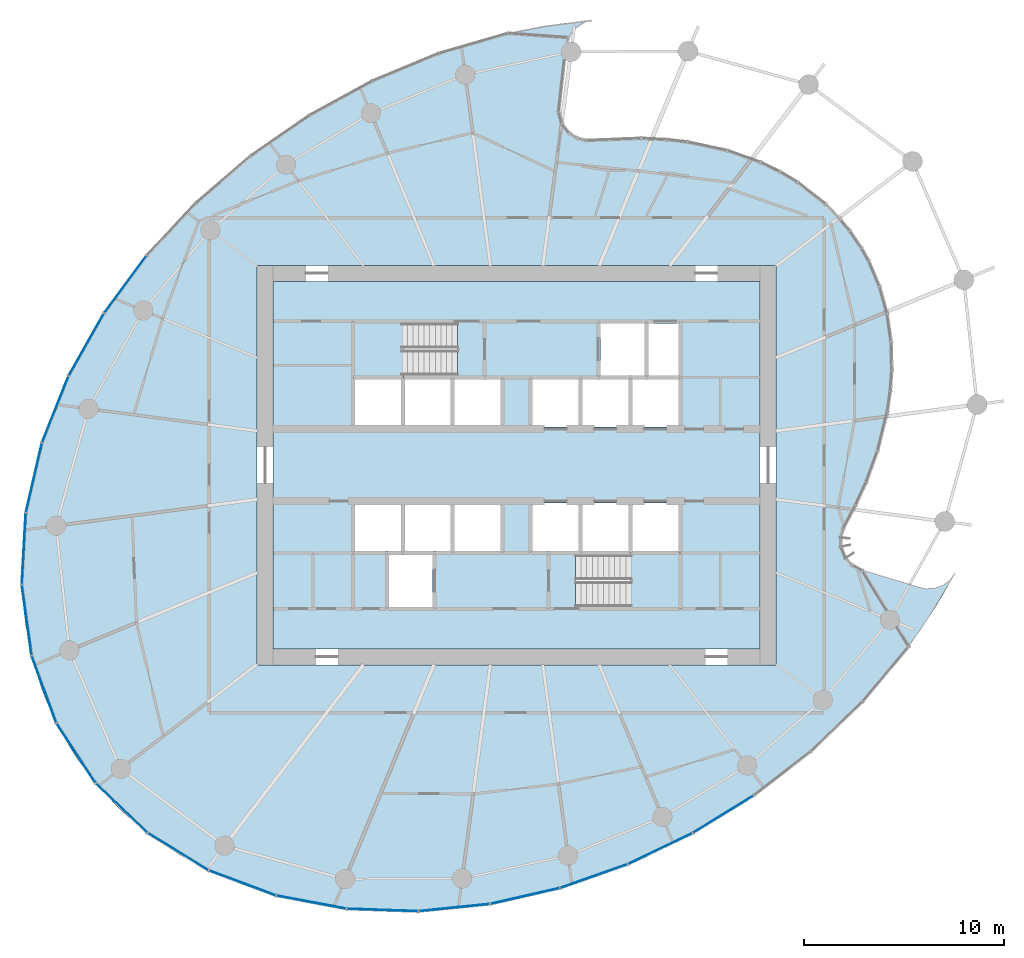
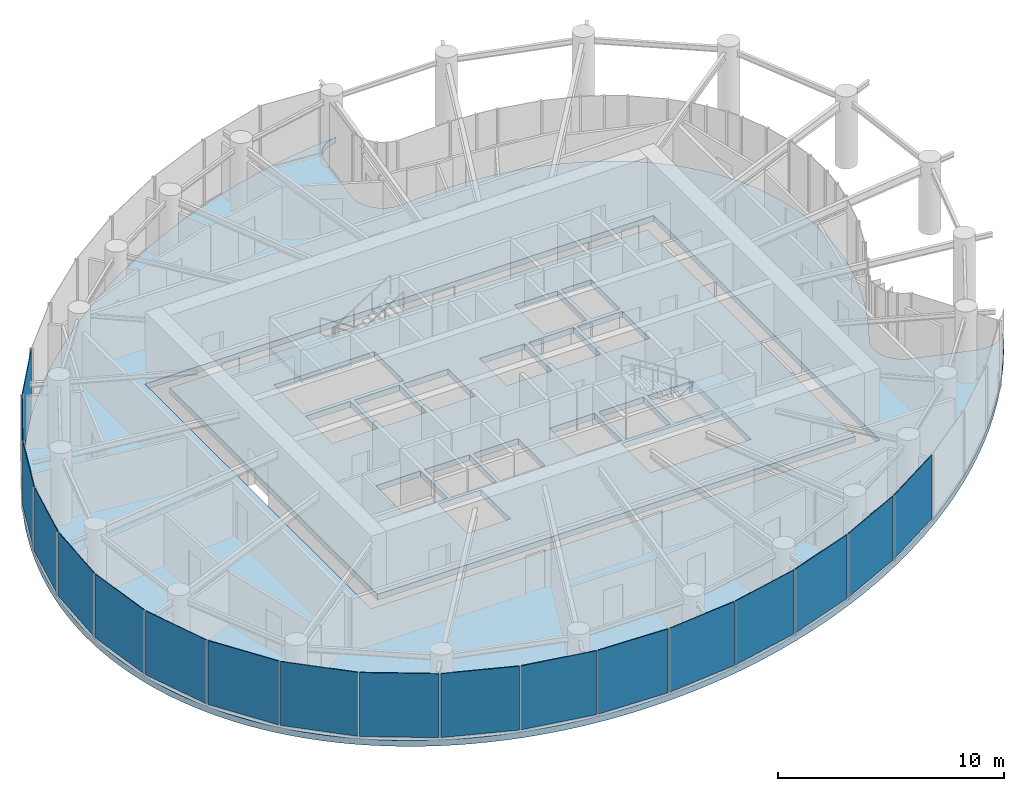
# One storey, part 9 of 19: 18 plates, 4 slabs, 5 elements without a shape of their own.
"""IFC4 building model written with IfcOpenShell, lengths in metres."""

from ifc_helpers import new_model, si_unit, direction, frame, origin, origin_2d, place, context, subcontext, project, spatial, line, indexed_curve, rectangle, outline, extrude, source, transform, mapped, material, layer, layer_set, type_object, element, aggregate, save


model = new_model("IFC4")

# Units and contexts
model_context = context("Model", 3, precision=1e-05, world=origin(), true_north=direction((0.0, 1.0)))
body_context = subcontext(model_context, "Body", "Model", "MODEL_VIEW")
ifc_project = project(units=[si_unit("LENGTHUNIT", "METRE"), si_unit("AREAUNIT", "SQUARE_METRE"), si_unit("VOLUMEUNIT", "CUBIC_METRE"), si_unit("PLANEANGLEUNIT", "RADIAN"), si_unit("MASSUNIT", "GRAM", prefix="KILO")], contexts=[model_context])

# Site, building, storey
site_placement = place(None, origin())
site = spatial("IfcSite", under=ifc_project, at=site_placement, CompositionType="ELEMENT")
building_placement = place(site_placement, origin())
building = spatial("IfcBuilding", under=site, at=building_placement, Name="Spindrift Exchange Tower", CompositionType="ELEMENT")
storey_placement = place(building_placement, frame((0.0, 0.0, 137.0)))
storey = spatial("IfcBuildingStorey", under=building, at=storey_placement, Name="L32", CompositionType="ELEMENT", Elevation=137.0)

# Slabs
ifc_material_1 = material(Name="Concrete 40 MPa", Category="concrete")
ifc_layer_1 = layer(ifc_material_1, 0.320068359375)
ifc_layer_set_1 = layer_set([ifc_layer_1], Name="RC Floor Slab 320 Concrete 40 MPa")
slab_type_1 = type_object("IfcSlabType", Name="RC Floor Slab 320 Concrete 40 MPa", PredefinedType="FLOOR", material=ifc_layer_set_1)
slab_1_placement = place(storey_placement, frame((0.0, 0.0, -0.320068359375)))
element("IfcSlab", 1, at=slab_1_placement, inside=storey, type_object=slab_type_1, Name="Floor slab L32", PredefinedType="FLOOR", context=body_context, shape_type="SweptSolid", body=[
    extrude(outline(indexed_curve([(73.957275390625, 42.589599609375), (73.53759765625, 41.8271484375), (73.331298828125, 41.472412109375), (72.90380859375, 40.77197265625), (72.682861328125, 40.426513671875), (72.226318359375, 39.74462890625), (71.7509765625, 39.07568359375), (71.506591796875, 38.74609375), (71.0048828125, 38.0966796875), (70.486083984375, 37.4609375), (69.951171875, 36.8388671875), (69.677490234375, 36.532958984375), (69.119140625, 35.931884765625), (68.834228515625, 35.63671875), (68.253662109375, 35.056884765625), (67.65869140625, 34.49169921875), (67.356201171875, 34.214599609375), (66.74072265625, 33.671630859375), (65.793701171875, 32.885498046875), (65.146728515625, 32.380859375), (64.154296875, 31.653076171875), (63.135986328125, 30.96142578125), (62.093994140625, 30.306640625), (61.029052734375, 29.689453125), (59.9423828125, 29.111083984375), (58.8359375, 28.572509765625), (58.08740234375, 28.236083984375), (57.3310546875, 27.91796875), (56.56689453125, 27.618896484375), (56.18212890625, 27.4765625), (55.407470703125, 27.206298828125), (55.017578125, 27.07861328125), (54.23291015625, 26.838134765625), (53.4423828125, 26.618408203125), (52.646240234375, 26.419189453125), (52.246337890625, 26.327880859375), (51.84521484375, 26.24169921875), (51.03955078125, 26.0859375), (50.22998046875, 25.95263671875), (49.416748046875, 25.84228515625), (49.00927734375, 25.7958984375), (48.19189453125, 25.720947265625), (47.373046875, 25.67041015625), (46.963134765625, 25.654541015625), (46.142578125, 25.6416015625), (45.322265625, 25.65478515625), (44.912109375, 25.67138671875), (44.093505859375, 25.724609375), (43.27685546875, 25.805419921875), (42.86962890625, 25.8564453125), (42.05859375, 25.97998046875), (41.65478515625, 26.052490234375), (40.8515625, 26.22021484375), (40.05517578125, 26.417724609375), (39.26708984375, 26.646240234375), (38.48876953125, 26.906005859375), (37.7216796875, 27.19775390625), (37.343017578125, 27.355712890625), (36.59619140625, 27.695556640625), (35.865234375, 28.068115234375), (35.15185546875, 28.473388671875), (34.4580078125, 28.9111328125), (33.78564453125, 29.38134765625), (33.4580078125, 29.628662109375), (33.13671875, 29.8837890625), (32.822021484375, 30.146728515625), (32.513671875, 30.41748046875), (32.21240234375, 30.696044921875), (31.918212890625, 30.982177734375), (31.631591796875, 31.275390625), (31.352294921875, 31.576171875), (31.0810546875, 31.884033203125), (30.81787109375, 32.19873046875), (30.56298828125, 32.520263671875), (30.316650390625, 32.848388671875), (30.078857421875, 33.1826171875), (29.849853515625, 33.523193359375), (29.6298828125, 33.869384765625), (29.419189453125, 34.221435546875), (29.217529296875, 34.578857421875), (29.025390625, 34.94140625), (28.8427734375, 35.30859375), (28.669921875, 35.6806640625), (28.50634765625, 36.056884765625), (28.352783203125, 36.4375), (28.208984375, 36.82177734375), (28.07470703125, 37.20947265625), (27.950439453125, 37.600341796875), (27.8359375, 37.994384765625), (27.731201171875, 38.39111328125), (27.55078125, 39.19140625), (27.4091796875, 39.999755859375), (27.3056640625, 40.813720703125), (27.239501953125, 41.631591796875), (27.22021484375, 42.041259765625), (27.20849609375, 42.86181640625), (27.216064453125, 43.27197265625), (27.2568359375, 44.091552734375), (27.331298828125, 44.90869140625), (27.380615234375, 45.31591796875), (27.438232421875, 45.72216796875), (27.576904296875, 46.531005859375), (27.657470703125, 46.93310546875), (27.84130859375, 47.73291015625), (27.94384765625, 48.1298828125), (28.17041015625, 48.918701171875), (28.2939453125, 49.31005859375), (28.560791015625, 50.0859375), (28.853515625, 50.8525390625), (29.009033203125, 51.232177734375), (29.170654296875, 51.609130859375), (29.51171875, 52.35546875), (29.87548828125, 53.091064453125), (30.06591796875, 53.45458984375), (30.261474609375, 53.815185546875), (30.668701171875, 54.527587890625), (30.8798828125, 54.87939453125), (31.317138671875, 55.573486328125), (31.773681640625, 56.25537109375), (32.2490234375, 56.92431640625), (32.493408203125, 57.25390625), (32.9951171875, 57.9033203125), (33.513916015625, 58.5390625), (34.048828125, 59.1611328125), (34.322509765625, 59.467041015625), (34.880859375, 60.068115234375), (35.454345703125, 60.655029296875), (36.0419921875, 61.2275390625), (36.34130859375, 61.50830078125), (36.949951171875, 62.058837890625), (37.887451171875, 62.856201171875), (38.853271484375, 63.619140625), (39.51220703125, 64.1083984375), (40.182373046875, 64.58154296875), (40.864013671875, 65.03857421875), (41.55615234375, 65.479248046875), (42.613525390625, 66.10888671875), (43.693115234375, 66.700439453125), (44.42431640625, 67.07275390625), (45.1640625, 67.427490234375), (45.91259765625, 67.763916015625), (46.6689453125, 68.08203125), (47.43310546875, 68.381103515625), (47.81787109375, 68.5234375), (48.592529296875, 68.793701171875), (49.3740234375, 69.044189453125), (50.16162109375, 69.2744140625), (50.5576171875, 69.381591796875), (51.353759765625, 69.580810546875), (52.15478515625, 69.75830078125), (52.96044921875, 69.9140625), (53.36474609375, 69.9833984375), (54.17626953125, 70.10546875), (54.583251953125, 70.15771484375), (55.399169921875, 70.24462890625), (55.85693359375, 70.282470703125), (55.75048828125, 70.269775390625), (55.605712890625, 70.23779296875), (55.46484375, 70.191650390625), (55.3291015625, 70.132080078125), (55.199951171875, 70.05908203125), (55.07861328125, 69.973876953125), (54.96630859375, 69.877197265625), (54.864013671875, 69.769775390625), (54.77294921875, 69.65283203125), (54.693603515625, 69.527587890625), (54.627197265625, 69.39501953125), (54.57421875, 69.256591796875), (54.534912109375, 69.11376953125), (54.510009765625, 68.967529296875), (54.152099609375, 65.980224609375), (54.141845703125, 65.831298828125), (54.146240234375, 65.68212890625), (54.16552734375, 65.533935546875), (54.199462890625, 65.388671875), (54.247802734375, 65.247314453125), (54.3095703125, 65.111328125), (54.384765625, 64.982421875), (54.472412109375, 64.861328125), (54.571533203125, 64.74951171875), (54.681396484375, 64.6484375), (54.800537109375, 64.55859375), (54.92822265625, 64.48095703125), (55.06298828125, 64.41650390625), (55.203369140625, 64.365478515625), (55.34814453125, 64.3291015625), (55.495849609375, 64.306884765625), (55.64501953125, 64.2998046875), (55.794189453125, 64.30712890625), (56.337646484375, 64.357421875), (56.967041015625, 64.397216796875), (57.593994140625, 64.417724609375), (57.92919921875, 64.420654296875), (58.581298828125, 64.409423828125), (59.227294921875, 64.376220703125), (59.892578125, 64.3173828125), (60.24169921875, 64.2763671875), (60.8984375, 64.1787109375), (61.235107421875, 64.118408203125), (61.9248046875, 63.970458984375), (62.57958984375, 63.798583984375), (62.91357421875, 63.6982421875), (63.59521484375, 63.46484375), (64.231201171875, 63.209716796875), (64.5537109375, 63.065185546875), (64.891845703125, 62.901611328125), (65.20703125, 62.73779296875), (65.8037109375, 62.393798828125), (66.103759765625, 62.202392578125), (66.41748046875, 61.98779296875), (66.705078125, 61.776611328125), (66.966796875, 61.57177734375), (67.240478515625, 61.343017578125), (67.506591796875, 61.105224609375), (67.78271484375, 60.840576171875), (68.031494140625, 60.584228515625), (68.254150390625, 60.33935546875), (68.485107421875, 60.067138671875), (68.706298828125, 59.787109375), (68.932861328125, 59.477783203125), (69.133056640625, 59.181884765625), (69.32275390625, 58.87939453125), (69.50146484375, 58.570556640625), (69.669189453125, 58.25537109375), (69.82568359375, 57.9345703125), (69.960693359375, 57.63232421875), (70.095703125, 57.3017578125), (70.227294921875, 56.9423828125), (70.33837890625, 56.603515625), (70.43798828125, 56.260986328125), (70.5205078125, 55.93896484375), (70.598388671875, 55.5908203125), (70.6689453125, 55.21728515625), (70.723876953125, 54.86572265625), (70.799560546875, 54.18115234375), (70.8232421875, 53.82666015625), (70.837158203125, 53.451416015625), (70.840087890625, 53.097900390625), (70.818603515625, 52.412841796875), (70.758544921875, 51.695068359375), (70.71630859375, 51.348876953125), (70.611083984375, 50.68017578125), (70.469482421875, 49.989013671875), (70.389892578125, 49.656494140625), (70.2158203125, 49.015869140625), (70.11328125, 48.679443359375), (69.89990234375, 48.046630859375), (69.67138671875, 47.441650390625), (69.419677734375, 46.83984375), (69.282470703125, 46.533935546875), (69.01220703125, 45.968017578125), (68.722900390625, 45.407470703125), (68.458984375, 44.9296875), (68.39208984375, 44.796142578125), (68.3388671875, 44.656494140625), (68.2998046875, 44.512451171875), (68.275146484375, 44.365234375), (68.265380859375, 44.21630859375), (68.2705078125, 44.06689453125), (68.290283203125, 43.9189453125), (68.32470703125, 43.773681640625), (68.373291015625, 43.63232421875), (68.435791015625, 43.496826171875), (68.511474609375, 43.367919921875), (68.599609375, 43.247314453125), (68.69921875, 43.135986328125), (68.80908203125, 43.03515625), (68.928955078125, 42.94580078125), (69.056884765625, 42.86865234375), (69.191650390625, 42.8046875), (69.332275390625, 42.75439453125), (72.2119140625, 41.88330078125), (72.355712890625, 41.847412109375), (72.50244140625, 41.82568359375), (72.650634765625, 41.81884765625), (72.798583984375, 41.826416015625), (72.9453125, 41.848876953125), (73.0888671875, 41.885498046875), (73.228271484375, 41.935791015625), (73.36181640625, 42.0), (73.48876953125, 42.076904296875), (73.607177734375, 42.166015625), (73.71630859375, 42.266357421875), (73.815185546875, 42.376708984375), (73.902587890625, 42.49658203125)], segments=[line(1, 2, 3, 4, 5, 6, 7, 8, 9, 10, 11, 12, 13, 14, 15, 16, 17, 18, 19, 20, 21, 22, 23, 24, 25, 26, 27, 28, 29, 30, 31, 32, 33, 34, 35, 36, 37, 38, 39, 40, 41, 42, 43, 44, 45, 46, 47, 48, 49, 50, 51, 52, 53, 54, 55, 56, 57, 58, 59, 60, 61, 62, 63, 64, 65, 66, 67, 68, 69, 70, 71, 72, 73, 74, 75, 76, 77, 78, 79, 80, 81, 82, 83, 84, 85, 86, 87, 88, 89, 90, 91, 92, 93, 94, 95, 96, 97, 98, 99, 100, 101, 102, 103, 104, 105, 106, 107, 108, 109, 110, 111, 112, 113, 114, 115, 116, 117, 118, 119, 120, 121, 122, 123, 124, 125, 126, 127, 128, 129, 130, 131, 132, 133, 134, 135, 136, 137, 138, 139, 140, 141, 142, 143, 144, 145, 146, 147, 148, 149, 150, 151, 152, 153, 154, 155, 156, 157, 158, 159, 160, 161, 162, 163, 164, 165, 166, 167, 168, 169, 170, 171, 172, 173, 174, 175, 176, 177, 178, 179, 180, 181, 182, 183, 184, 185, 186, 187, 188, 189, 190, 191, 192, 193, 194, 195, 196, 197, 198, 199, 200, 201, 202, 203, 204, 205, 206, 207, 208, 209, 210, 211, 212, 213, 214, 215, 216, 217, 218, 219, 220, 221, 222, 223, 224, 225, 226, 227, 228, 229, 230, 231, 232, 233, 234, 235, 236, 237, 238, 239, 240, 241, 242, 243, 244, 245, 246, 247, 248, 249, 250, 251, 252, 253, 254, 255, 256, 257, 258, 259, 260, 261, 262, 263, 264, 265, 266, 267, 268, 269, 270, 271, 272, 273, 274, 275, 276, 277, 278, 279, 280, 281, 282, 283, 284, 285, 1)], self_intersect=False), holes=[indexed_curve([(39.0, 38.0), (65.0, 38.0), (65.0, 58.0), (39.0, 58.0)], segments=[line(1, 2, 3, 4, 1)], self_intersect=False)]), origin(), (0.0, 0.0, 1.0), 0.320068359375),
])
ifc_material_2 = material(Name="Concrete 50 MPa", Category="concrete")
ifc_layer_2 = layer(ifc_material_2, 0.320068359375)
ifc_layer_set_2 = layer_set([ifc_layer_2], Name="SL-CORE-FLOOR-320")
slab_type_2 = type_object("IfcSlabType", Name="SL-CORE-FLOOR-320", PredefinedType="FLOOR", material=ifc_layer_set_2)
slab_2_placement = place(storey_placement, frame((0.0, 0.0, -0.320068359375)))
element("IfcSlab", 2, at=slab_2_placement, inside=storey, type_object=slab_type_2, Name="L32 Core floor slab", PredefinedType="FLOOR", context=body_context, shape_type="SweptSolid", body=[
    extrude(outline(indexed_curve([(39.800048828125, 38.800048828125), (39.800048828125, 57.199951171875), (64.199951171875, 57.199951171875), (64.199951171875, 38.800048828125)], segments=[line(1, 2, 3, 4, 1)], self_intersect=False), holes=[indexed_curve([(47.800048828125, 43.5), (45.60009765625, 43.5), (45.60009765625, 40.89990234375), (47.800048828125, 40.89990234375)], segments=[line(1, 2, 3, 4, 1)], self_intersect=False), indexed_curve([(46.199951171875, 46.10009765625), (43.89990234375, 46.10009765625), (43.89990234375, 43.699951171875), (46.199951171875, 43.699951171875)], segments=[line(1, 2, 3, 4, 1)], self_intersect=False), indexed_curve([(48.699951171875, 46.10009765625), (46.39990234375, 46.10009765625), (46.39990234375, 43.699951171875), (48.699951171875, 43.699951171875)], segments=[line(1, 2, 3, 4, 1)], self_intersect=False), indexed_curve([(51.199951171875, 46.10009765625), (48.89990234375, 46.10009765625), (48.89990234375, 43.699951171875), (51.199951171875, 43.699951171875)], segments=[line(1, 2, 3, 4, 1)], self_intersect=False), indexed_curve([(46.199951171875, 52.300048828125), (43.89990234375, 52.300048828125), (43.89990234375, 49.89990234375), (46.199951171875, 49.89990234375)], segments=[line(1, 2, 3, 4, 1)], self_intersect=False), indexed_curve([(48.699951171875, 52.300048828125), (46.39990234375, 52.300048828125), (46.39990234375, 49.89990234375), (48.699951171875, 49.89990234375)], segments=[line(1, 2, 3, 4, 1)], self_intersect=False), indexed_curve([(51.199951171875, 52.300048828125), (48.89990234375, 52.300048828125), (48.89990234375, 49.89990234375), (51.199951171875, 49.89990234375)], segments=[line(1, 2, 3, 4, 1)], self_intersect=False), indexed_curve([(55.10009765625, 52.300048828125), (52.800048828125, 52.300048828125), (52.800048828125, 49.89990234375), (55.10009765625, 49.89990234375)], segments=[line(1, 2, 3, 4, 1)], self_intersect=False), indexed_curve([(43.906005859375, 55.093994140625), (43.906005859375, 52.506103515625), (49.0439453125, 52.506103515625), (49.0439453125, 55.093994140625)], segments=[line(1, 2, 3, 4, 1)], self_intersect=False), indexed_curve([(60.093994140625, 40.906005859375), (60.093994140625, 43.493896484375), (54.9560546875, 43.493896484375), (54.9560546875, 40.906005859375)], segments=[line(1, 2, 3, 4, 1)], self_intersect=False), indexed_curve([(55.10009765625, 46.10009765625), (52.800048828125, 46.10009765625), (52.800048828125, 43.699951171875), (55.10009765625, 43.699951171875)], segments=[line(1, 2, 3, 4, 1)], self_intersect=False), indexed_curve([(57.60009765625, 46.10009765625), (55.300048828125, 46.10009765625), (55.300048828125, 43.699951171875), (57.60009765625, 43.699951171875)], segments=[line(1, 2, 3, 4, 1)], self_intersect=False), indexed_curve([(60.10009765625, 46.10009765625), (57.800048828125, 46.10009765625), (57.800048828125, 43.699951171875), (60.10009765625, 43.699951171875)], segments=[line(1, 2, 3, 4, 1)], self_intersect=False), indexed_curve([(57.60009765625, 52.300048828125), (55.300048828125, 52.300048828125), (55.300048828125, 49.89990234375), (57.60009765625, 49.89990234375)], segments=[line(1, 2, 3, 4, 1)], self_intersect=False), indexed_curve([(60.10009765625, 52.300048828125), (57.800048828125, 52.300048828125), (57.800048828125, 49.89990234375), (60.10009765625, 49.89990234375)], segments=[line(1, 2, 3, 4, 1)], self_intersect=False), indexed_curve([(58.39990234375, 52.5), (58.39990234375, 55.10009765625), (56.199951171875, 55.10009765625), (56.199951171875, 52.5)], segments=[line(1, 2, 3, 4, 1)], self_intersect=False), indexed_curve([(60.10009765625, 52.5), (60.10009765625, 55.10009765625), (58.60009765625, 55.10009765625), (58.60009765625, 52.5)], segments=[line(1, 2, 3, 4, 1)], self_intersect=False)]), origin(), (0.0, 0.0, 1.0), 0.320068359375),
])

# Stair, slab
stair_type = type_object("IfcStairType", Name="ST-1250-R177", PredefinedType="HALF_TURN_STAIR", material=ifc_material_2)
stair_1_placement = place(storey_placement, origin())
stair_1 = element("IfcStair", 3, at=stair_1_placement, inside=storey, type_object=stair_type, Name="L32 Exit stair ST1", PredefinedType="HALF_TURN_STAIR")
ifc_layer_3 = layer(ifc_material_2, 0.199951171875)
ifc_layer_set_3 = layer_set([ifc_layer_3], Name="SL-LANDING")
slab_type_3 = type_object("IfcSlabType", Name="SL-LANDING", PredefinedType="LANDING", material=ifc_layer_set_3)
slab_3_placement = place(storey_placement, frame((0.0, 0.0, 1.75)))
slab_3 = element("IfcSlab", 4, at=slab_3_placement, type_object=slab_type_3, Name="ST1 landing 1", PredefinedType="LANDING", context=body_context, shape_type="SweptSolid", body=[
    extrude(outline(indexed_curve([(46.330078125, 52.39990234375), (43.800048828125, 52.39990234375), (43.800048828125, 55.199951171875), (46.330078125, 55.199951171875)], segments=[line(1, 2, 3, 4, 1)], self_intersect=False)), origin(), (0.0, 0.0, 1.0), 0.199951171875),
])
aggregate(stair_1, [slab_3])

stair_2_placement = place(storey_placement, origin())
stair_2 = element("IfcStair", 5, at=stair_2_placement, inside=storey, type_object=stair_type, Name="L32 Exit stair ST2", PredefinedType="HALF_TURN_STAIR")
slab_4_placement = place(storey_placement, frame((0.0, 0.0, 1.75)))
slab_4 = element("IfcSlab", 6, at=slab_4_placement, type_object=slab_type_3, Name="ST2 landing 1", PredefinedType="LANDING", context=body_context, shape_type="SweptSolid", body=[
    extrude(outline(indexed_curve([(57.669921875, 43.60009765625), (60.199951171875, 43.60009765625), (60.199951171875, 40.800048828125), (57.669921875, 40.800048828125)], segments=[line(1, 2, 3, 4, 1)], self_intersect=False)), origin(), (0.0, 0.0, 1.0), 0.199951171875),
])
aggregate(stair_2, [slab_4])

# Curtain wall, plate
ifc_material_3 = material(Name="Fritted laminated glass with bronze frame", Category="glass")
ifc_layer_4 = layer(ifc_material_3, 0.179931640625)
ifc_layer_set_4 = layer_set([ifc_layer_4], Name="ZONE 3 BRONZE FRITTED WALL")
curtain_wall_type = type_object("IfcCurtainWallType", Name="ZONE 3 BRONZE FRITTED WALL", PredefinedType="NOTDEFINED", material=ifc_layer_set_4)
curtain_wall_1_placement = place(storey_placement, origin())
curtain_wall_1 = element("IfcCurtainWall", 7, at=curtain_wall_1_placement, inside=storey, type_object=curtain_wall_type, Name="L32 Zone 3 Bronze Fritted Wall run 4", PredefinedType="NOTDEFINED")
ifc_material_4 = material(Name="Bronze fritted laminated glass, open frit", Category="glass")
ifc_layer_5 = layer(ifc_material_4, 0.031982421875)
ifc_layer_set_5 = layer_set([ifc_layer_5], Name="ZONE 3 BRONZE FRITTED WALL PANEL OPEN FRIT 360")
plate_type_1 = type_object("IfcPlateType", Name="ZONE 3 BRONZE FRITTED WALL PANEL OPEN FRIT 360", PredefinedType="CURTAIN_PANEL", material=ifc_layer_set_5)
shared_shape_1 = source(origin(), body_context, "Body", "SweptSolid", [
    extrude(rectangle(XDim=3.53076171875, YDim=0.031982421875, at=origin_2d()), origin(), (0.0, 0.0, 1.0), 3.449951171875),
])
plate_1_placement = place(storey_placement, frame((55.87353515625, 27.419189453125, 0.1298828125), z_axis=(0.0, 0.0, 1.0), x_axis=(0.943271345176, 0.33202284465, 0.0)))
plate_1 = element("IfcPlate", 8, at=plate_1_placement, type_object=plate_type_1, Name="L32 panel CW-3.22", PredefinedType="CURTAIN_PANEL", context=body_context, shape_type="MappedRepresentation", body=[
    mapped(shared_shape_1, transform((0.0, 0.0, 0.0), scale=1.0)),
])

# Curtain wall, plates
curtain_wall_2_placement = place(storey_placement, origin())
curtain_wall_2 = element("IfcCurtainWall", 9, at=curtain_wall_2_placement, inside=storey, type_object=curtain_wall_type, Name="L32 Zone 3 Bronze Fritted Wall run 2", PredefinedType="NOTDEFINED")
ifc_layer_6 = layer(ifc_material_4, 0.031982421875)
ifc_layer_set_6 = layer_set([ifc_layer_6], Name="ZONE 3 BRONZE FRITTED WALL PANEL OPEN FRIT 600")
plate_type_2 = type_object("IfcPlateType", Name="ZONE 3 BRONZE FRITTED WALL PANEL OPEN FRIT 600", PredefinedType="CURTAIN_PANEL", material=ifc_layer_set_6)
shared_shape_2 = source(origin(), body_context, "Body", "SweptSolid", [
    extrude(rectangle(XDim=3.530517578125, YDim=0.031982421875, at=origin_2d()), origin(), (0.0, 0.0, 1.0), 3.449951171875),
])
plate_2_placement = place(storey_placement, frame((32.404296875, 57.0458984375, 0.1298828125), z_axis=(0.0, 0.0, 1.0), x_axis=(-0.594855055155, -0.803832982253, 0.0)))
plate_2 = element("IfcPlate", 10, at=plate_2_placement, type_object=plate_type_2, Name="L32 panel CW-3.7", PredefinedType="CURTAIN_PANEL", context=body_context, shape_type="MappedRepresentation", body=[
    mapped(shared_shape_2, transform((0.0, 0.0, 0.0), scale=1.0)),
])
shared_shape_3 = source(origin(), body_context, "Body", "SweptSolid", [
    extrude(rectangle(XDim=3.530029296875, YDim=0.031982421875, at=origin_2d()), origin(), (0.0, 0.0, 1.0), 3.449951171875),
])
plate_3_placement = place(storey_placement, frame((30.448486328125, 54.031494140625, 0.1298828125), z_axis=(0.0, 0.0, 1.0), x_axis=(-0.491657764832, -0.87078851754, 0.0)))
plate_3 = element("IfcPlate", 11, at=plate_3_placement, type_object=plate_type_1, Name="L32 panel CW-3.8", PredefinedType="CURTAIN_PANEL", context=body_context, shape_type="MappedRepresentation", body=[
    mapped(shared_shape_3, transform((0.0, 0.0, 0.0), scale=1.0)),
])
ifc_layer_7 = layer(ifc_material_4, 0.031982421875)
ifc_layer_set_7 = layer_set([ifc_layer_7], Name="ZONE 3 BRONZE FRITTED WALL PANEL OPEN FRIT 480")
plate_type_3 = type_object("IfcPlateType", Name="ZONE 3 BRONZE FRITTED WALL PANEL OPEN FRIT 480", PredefinedType="CURTAIN_PANEL", material=ifc_layer_set_7)
shared_shape_4 = source(origin(), body_context, "Body", "SweptSolid", [
    extrude(rectangle(XDim=3.529541015625, YDim=0.031982421875, at=origin_2d()), origin(), (0.0, 0.0, 1.0), 3.449951171875),
])
plate_4_placement = place(storey_placement, frame((28.898193359375, 50.791748046875, 0.1298828125), z_axis=(0.0, 0.0, 1.0), x_axis=(-0.369689999105, -0.929155156345, 0.0)))
plate_4 = element("IfcPlate", 12, at=plate_4_placement, type_object=plate_type_3, Name="L32 panel CW-3.9", PredefinedType="CURTAIN_PANEL", context=body_context, shape_type="MappedRepresentation", body=[
    mapped(shared_shape_4, transform((0.0, 0.0, 0.0), scale=1.0)),
])

# Plate
plate_5_placement = place(storey_placement, frame((45.284423828125, 25.72021484375, 0.1298828125), z_axis=(0.0, 0.0, 1.0), x_axis=(0.999410282573, -0.034337837554, 0.0)))
plate_5 = element("IfcPlate", 13, at=plate_5_placement, type_object=plate_type_3, Name="L32 panel CW-3.19", PredefinedType="CURTAIN_PANEL", context=body_context, shape_type="MappedRepresentation", body=[
    mapped(shared_shape_4, transform((0.0, 0.0, 0.0), scale=1.0)),
])

shared_shape_5 = source(origin(), body_context, "Body", "SweptSolid", [
    extrude(rectangle(XDim=3.52880859375, YDim=0.031982421875, at=origin_2d()), origin(), (0.0, 0.0, 1.0), 3.449951171875),
])
plate_6_placement = place(storey_placement, frame((27.827392578125, 47.3662109375, 0.1298828125), z_axis=(0.0, 0.0, 1.0), x_axis=(-0.225328569889, -0.974282831416, 0.0)))
plate_6 = element("IfcPlate", 14, at=plate_6_placement, type_object=plate_type_1, Name="L32 panel CW-3.10", PredefinedType="CURTAIN_PANEL", context=body_context, shape_type="MappedRepresentation", body=[
    mapped(shared_shape_5, transform((0.0, 0.0, 0.0), scale=1.0)),
])

# Curtain wall, plate
curtain_wall_3_placement = place(storey_placement, origin())
curtain_wall_3 = element("IfcCurtainWall", 15, at=curtain_wall_3_placement, inside=storey, type_object=curtain_wall_type, Name="L32 Zone 3 Bronze Fritted Wall run 3", PredefinedType="NOTDEFINED")
plate_7_placement = place(storey_placement, frame((41.71728515625, 26.114501953125, 0.1298828125), z_axis=(0.0, 0.0, 1.0), x_axis=(0.982799274738, -0.184676976296, 0.0)))
plate_7 = element("IfcPlate", 16, at=plate_7_placement, type_object=plate_type_1, Name="L32 panel CW-3.18", PredefinedType="CURTAIN_PANEL", context=body_context, shape_type="MappedRepresentation", body=[
    mapped(shared_shape_5, transform((0.0, 0.0, 0.0), scale=1.0)),
])

# Plate
shared_shape_6 = source(origin(), body_context, "Body", "SweptSolid", [
    extrude(rectangle(XDim=3.527587890625, YDim=0.031982421875, at=origin_2d()), origin(), (0.0, 0.0, 1.0), 3.449951171875),
])
plate_8_placement = place(storey_placement, frame((27.3212890625, 43.8173828125, 0.1298828125), z_axis=(0.0, 0.0, 1.0), x_axis=(-0.055899922175, -0.998436376892, 0.0)))
plate_8 = element("IfcPlate", 17, at=plate_8_placement, type_object=plate_type_1, Name="L32 panel CW-3.11", PredefinedType="CURTAIN_PANEL", context=body_context, shape_type="MappedRepresentation", body=[
    mapped(shared_shape_6, transform((0.0, 0.0, 0.0), scale=1.0)),
])

shared_shape_7 = source(origin(), body_context, "Body", "SweptSolid", [
    extrude(rectangle(XDim=3.5263671875, YDim=0.031982421875, at=origin_2d()), origin(), (0.0, 0.0, 1.0), 3.449951171875),
])
plate_9_placement = place(storey_placement, frame((27.467529296875, 40.239990234375, 0.1298828125), z_axis=(0.0, 0.0, 1.0), x_axis=(0.137169667091, -0.99054756697, 0.0)))
plate_9 = element("IfcPlate", 18, at=plate_9_placement, type_object=plate_type_2, Name="L32 panel CW-3.12", PredefinedType="CURTAIN_PANEL", context=body_context, shape_type="MappedRepresentation", body=[
    mapped(shared_shape_7, transform((0.0, 0.0, 0.0), scale=1.0)),
])

aggregate(curtain_wall_2, [plate_2, plate_3, plate_4, plate_6, plate_8, plate_9])

shared_shape_8 = source(origin(), body_context, "Body", "SweptSolid", [
    extrude(rectangle(XDim=3.525146484375, YDim=0.031982421875, at=origin_2d()), origin(), (0.0, 0.0, 1.0), 3.449951171875),
])
plate_10_placement = place(storey_placement, frame((28.33349609375, 36.771484375, 0.1298828125), z_axis=(0.0, 0.0, 1.0), x_axis=(0.344606878128, -0.9387470903, 0.0)))
plate_10 = element("IfcPlate", 19, at=plate_10_placement, type_object=plate_type_2, Name="L32 panel CW-3.13", PredefinedType="CURTAIN_PANEL", context=body_context, shape_type="MappedRepresentation", body=[
    mapped(shared_shape_8, transform((0.0, 0.0, 0.0), scale=1.0)),
])

plate_11_placement = place(storey_placement, frame((32.216796875, 30.83056640625, 0.1298828125), z_axis=(0.0, 0.0, 1.0), x_axis=(0.721518580586, -0.692395073545, 0.0)))
plate_11 = element("IfcPlate", 20, at=plate_11_placement, type_object=plate_type_2, Name="L32 panel CW-3.15", PredefinedType="CURTAIN_PANEL", context=body_context, shape_type="MappedRepresentation", body=[
    mapped(shared_shape_8, transform((0.0, 0.0, 0.0), scale=1.0)),
])

shared_shape_9 = source(origin(), body_context, "Body", "SweptSolid", [
    extrude(rectangle(XDim=3.524658203125, YDim=0.031982421875, at=origin_2d()), origin(), (0.0, 0.0, 1.0), 3.449951171875),
])
plate_12_placement = place(storey_placement, frame((29.936279296875, 33.57958984375, 0.1298828125), z_axis=(0.0, 0.0, 1.0), x_axis=(0.547088495927, -0.837074774213, 0.0)))
plate_12 = element("IfcPlate", 21, at=plate_12_placement, type_object=plate_type_2, Name="L32 panel CW-3.14", PredefinedType="CURTAIN_PANEL", context=body_context, shape_type="MappedRepresentation", body=[
    mapped(shared_shape_9, transform((0.0, 0.0, 0.0), scale=1.0)),
])

shared_shape_10 = source(origin(), body_context, "Body", "SweptSolid", [
    extrude(rectangle(XDim=3.5263671875, YDim=0.031982421875, at=origin_2d()), origin(), (0.0, 0.0, 1.0), 3.449951171875),
])
plate_13_placement = place(storey_placement, frame((35.0458984375, 28.64501953125, 0.1298828125), z_axis=(0.0, 0.0, 1.0), x_axis=(0.852187526637, -0.5232364852, 0.0)))
plate_13 = element("IfcPlate", 22, at=plate_13_placement, type_object=plate_type_1, Name="L32 panel CW-3.16", PredefinedType="CURTAIN_PANEL", context=body_context, shape_type="MappedRepresentation", body=[
    mapped(shared_shape_10, transform((0.0, 0.0, 0.0), scale=1.0)),
])

shared_shape_11 = source(origin(), body_context, "Body", "SweptSolid", [
    extrude(rectangle(XDim=3.527587890625, YDim=0.031982421875, at=origin_2d()), origin(), (0.0, 0.0, 1.0), 3.449951171875),
])
plate_14_placement = place(storey_placement, frame((38.263671875, 27.075439453125, 0.1298828125), z_axis=(0.0, 0.0, 1.0), x_axis=(0.936919502235, -0.349545199269, 0.0)))
plate_14 = element("IfcPlate", 23, at=plate_14_placement, type_object=plate_type_2, Name="L32 panel CW-3.17", PredefinedType="CURTAIN_PANEL", context=body_context, shape_type="MappedRepresentation", body=[
    mapped(shared_shape_11, transform((0.0, 0.0, 0.0), scale=1.0)),
])

aggregate(curtain_wall_3, [plate_10, plate_12, plate_11, plate_13, plate_14, plate_7])

shared_shape_12 = source(origin(), body_context, "Body", "SweptSolid", [
    extrude(rectangle(XDim=3.530029296875, YDim=0.031982421875, at=origin_2d()), origin(), (0.0, 0.0, 1.0), 3.449951171875),
])
plate_15_placement = place(storey_placement, frame((48.8740234375, 25.840087890625, 0.1298828125), z_axis=(0.0, 0.0, 1.0), x_axis=(0.994906251564, 0.100804516761, 0.0)))
plate_15 = element("IfcPlate", 24, at=plate_15_placement, type_object=plate_type_2, Name="L32 panel CW-3.20", PredefinedType="CURTAIN_PANEL", context=body_context, shape_type="MappedRepresentation", body=[
    mapped(shared_shape_12, transform((0.0, 0.0, 0.0), scale=1.0)),
])

shared_shape_13 = source(origin(), body_context, "Body", "SweptSolid", [
    extrude(rectangle(XDim=3.530517578125, YDim=0.031982421875, at=origin_2d()), origin(), (0.0, 0.0, 1.0), 3.449951171875),
])
plate_16_placement = place(storey_placement, frame((52.420166015625, 26.42138671875, 0.1298828125), z_axis=(0.0, 0.0, 1.0), x_axis=(0.975002978922, 0.222191788988, 0.0)))
plate_16 = element("IfcPlate", 25, at=plate_16_placement, type_object=plate_type_3, Name="L32 panel CW-3.21", PredefinedType="CURTAIN_PANEL", context=body_context, shape_type="MappedRepresentation", body=[
    mapped(shared_shape_13, transform((0.0, 0.0, 0.0), scale=1.0)),
])

shared_shape_14 = source(origin(), body_context, "Body", "SweptSolid", [
    extrude(rectangle(XDim=3.531005859375, YDim=0.031982421875, at=origin_2d()), origin(), (0.0, 0.0, 1.0), 3.449951171875),
])
plate_17_placement = place(storey_placement, frame((59.1953125, 28.795166015625, 0.1298828125), z_axis=(0.0, 0.0, 1.0), x_axis=(0.901724657457, 0.432310816583, 0.0)))
plate_17 = element("IfcPlate", 26, at=plate_17_placement, type_object=plate_type_3, Name="L32 panel CW-3.23", PredefinedType="CURTAIN_PANEL", context=body_context, shape_type="MappedRepresentation", body=[
    mapped(shared_shape_14, transform((0.0, 0.0, 0.0), scale=1.0)),
])

plate_18_placement = place(storey_placement, frame((62.35107421875, 30.518798828125, 0.1298828125), z_axis=(0.0, 0.0, 1.0), x_axis=(0.851116367018, 0.524977075494, 0.0)))
plate_18 = element("IfcPlate", 27, at=plate_18_placement, type_object=plate_type_3, Name="L32 panel CW-3.24", PredefinedType="CURTAIN_PANEL", context=body_context, shape_type="MappedRepresentation", body=[
    mapped(shared_shape_14, transform((0.0, 0.0, 0.0), scale=1.0)),
])

aggregate(curtain_wall_1, [plate_5, plate_15, plate_16, plate_1, plate_17, plate_18])

save(model, "model.ifc")
